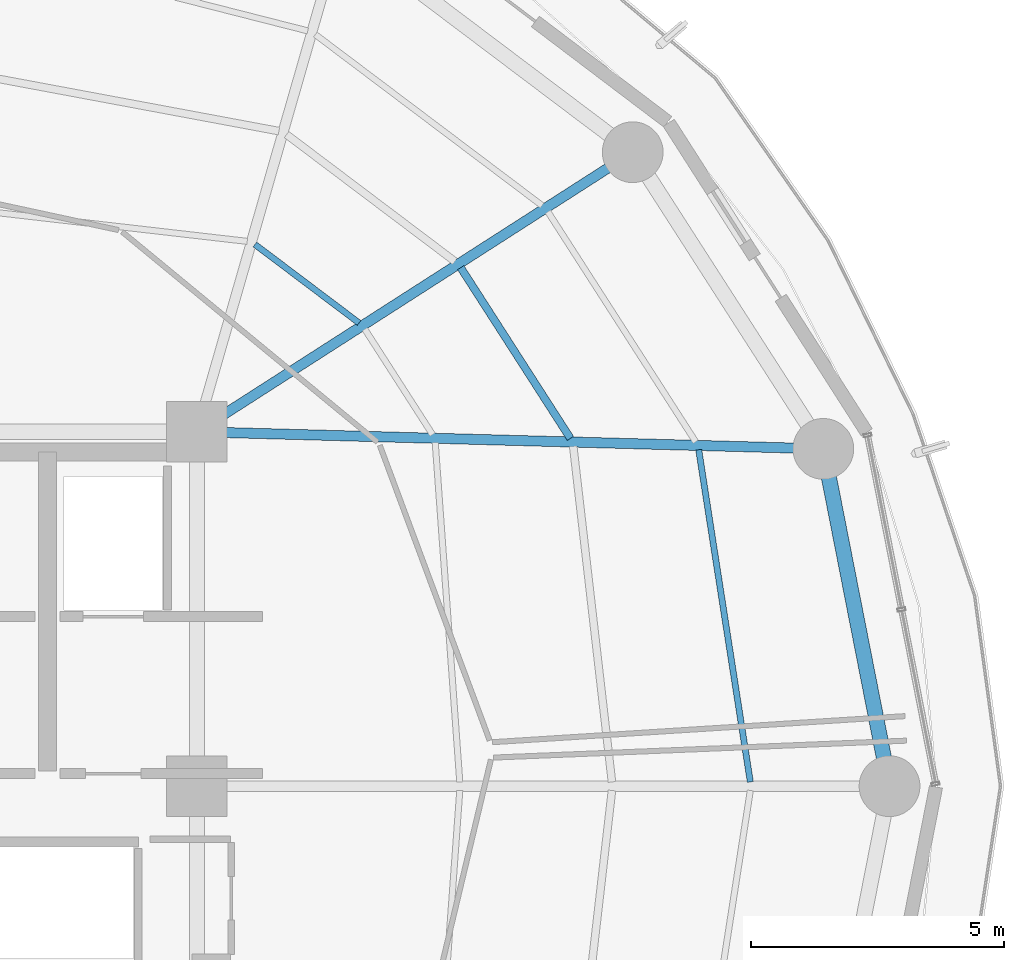
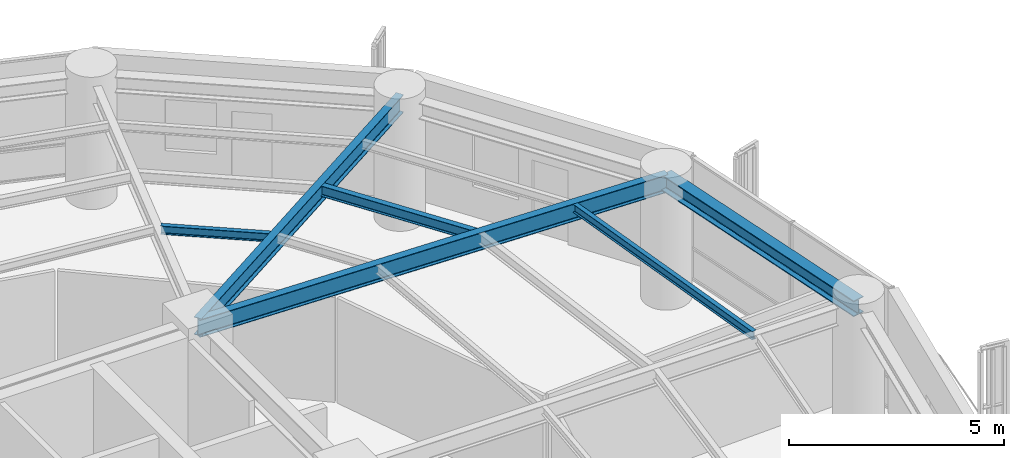
# One storey, part 14 of 27: 6 beams.
"""IFC4 building model written with IfcOpenShell, lengths in metres."""

from ifc_helpers import new_model, si_unit, direction, frame, origin, origin_2d, place, context, subcontext, project, spatial, i_section, extrude, material, material_profile, profile_set, type_object, element, save


model = new_model("IFC4")

# Units and contexts
model_context = context("Model", 3, precision=1e-05, world=origin(), true_north=direction((0.0, 1.0)))
body_context = subcontext(model_context, "Body", "Model", "MODEL_VIEW")
ifc_project = project(units=[si_unit("LENGTHUNIT", "METRE"), si_unit("AREAUNIT", "SQUARE_METRE"), si_unit("VOLUMEUNIT", "CUBIC_METRE"), si_unit("PLANEANGLEUNIT", "RADIAN"), si_unit("MASSUNIT", "GRAM", prefix="KILO")], contexts=[model_context])

# Site, building, storey
site_placement = place(None, origin())
site = spatial("IfcSite", under=ifc_project, at=site_placement, CompositionType="ELEMENT")
building_placement = place(site_placement, origin())
building = spatial("IfcBuilding", under=site, at=building_placement, Name="Kelanora Arch Commons", CompositionType="ELEMENT")
storey_placement = place(building_placement, frame((0.0, 0.0, 165.60009765625)))
storey = spatial("IfcBuildingStorey", under=building, at=storey_placement, Name="L42", CompositionType="ELEMENT", Elevation=165.60009765625)

# Beams
ifc_material = material(Name="Steel S355", Category="steel")
ifc_material_profile_1 = material_profile(ifc_material, i_section(OverallWidth=0.14990234375, OverallDepth=0.300048828125, WebThickness=0.007080078125, FlangeThickness=0.0107421875, FilletRadius=0.014892578125, at=origin_2d()), Name="IPE300")
ifc_profile_set_1 = profile_set([ifc_material_profile_1], Name="Steel S355")
beam_type_1 = type_object("IfcBeamType", Name="BM-JST-01", PredefinedType="JOIST", material=ifc_profile_set_1)
beam_1_placement = place(storey_placement, frame((89.377685546875, 64.869140625, 3.33984375), z_axis=(-0.540594434398, 0.841283339606, 0.0), x_axis=(-0.841283339606, -0.540594434398, 0.0)))
element("IfcBeam", 1, at=beam_1_placement, inside=storey, type_object=beam_type_1, Name="Secondary Chord Joist BJB-02 L42", PredefinedType="JOIST", context=body_context, shape_type="SweptSolid", body=[
    extrude(i_section(OverallWidth=0.14990234375, OverallDepth=0.300048828125, WebThickness=0.007080078125, FlangeThickness=0.0107421875, FilletRadius=0.014892578125, at=origin_2d()), origin(), (0.0, 0.0, 1.0), 4.008544921875),
])
ifc_material_profile_2 = material_profile(ifc_material, i_section(OverallWidth=0.1201171875, OverallDepth=0.239990234375, WebThickness=0.006103515625, FlangeThickness=0.009765625, FilletRadius=0.014892578125, at=origin_2d()), Name="IPE240")
ifc_profile_set_2 = profile_set([ifc_material_profile_2], Name="Steel S355")
beam_type_2 = type_object("IfcBeamType", Name="BM-JST-02", PredefinedType="JOIST", material=ifc_profile_set_2)
beam_2_placement = place(storey_placement, frame((92.930908203125, 58.083984375, 3.369873046875), z_axis=(-0.153562625853, 0.988138917329, 0.0), x_axis=(-0.988138917329, -0.153562625853, 0.0)))
element("IfcBeam", 2, at=beam_2_placement, inside=storey, type_object=beam_type_2, Name="Secondary Chord Joist BJC-00 L42", PredefinedType="JOIST", context=body_context, shape_type="SweptSolid", body=[
    extrude(i_section(OverallWidth=0.1201171875, OverallDepth=0.239990234375, WebThickness=0.006103515625, FlangeThickness=0.009765625, FilletRadius=0.014892578125, at=origin_2d()), origin(), (0.0, 0.0, 1.0), 6.640869140625),
])
beam_3_placement = place(storey_placement, frame((85.203125, 67.1494140625, 3.369873046875), z_axis=(-0.798484118859, 0.602015873487, 0.0), x_axis=(-0.602015873487, -0.798484118859, 0.0)))
element("IfcBeam", 3, at=beam_3_placement, inside=storey, type_object=beam_type_2, Name="Secondary Chord Joist BJA-04 L42", PredefinedType="JOIST", context=body_context, shape_type="SweptSolid", body=[
    extrude(i_section(OverallWidth=0.1201171875, OverallDepth=0.239990234375, WebThickness=0.006103515625, FlangeThickness=0.009765625, FilletRadius=0.014892578125, at=origin_2d()), origin(), (0.0, 0.0, 1.0), 2.57470703125),
])
ifc_material_profile_3 = material_profile(ifc_material, i_section(OverallWidth=0.199951171875, OverallDepth=0.5, WebThickness=0.01025390625, FlangeThickness=0.01611328125, FilletRadius=0.02099609375, at=origin_2d()), Name="IPE500")
ifc_profile_set_3 = profile_set([ifc_material_profile_3], Name="Steel S355")
beam_type_3 = type_object("IfcBeamType", Name="BM-RAD-Z3", PredefinedType="BEAM", material=ifc_profile_set_3)
beam_4_placement = place(storey_placement, frame((82.0, 65.0, 3.239990234375), z_axis=(0.999628374924, -0.027260081577, 0.0), x_axis=(0.027260081577, 0.999628374924, 0.0)))
element("IfcBeam", 4, at=beam_4_placement, inside=storey, type_object=beam_type_3, Name="Radial Floor Girder BR-02 L42", PredefinedType="BEAM", context=body_context, shape_type="SweptSolid", body=[
    extrude(i_section(OverallWidth=0.199951171875, OverallDepth=0.5, WebThickness=0.01025390625, FlangeThickness=0.01611328125, FilletRadius=0.02099609375, at=origin_2d()), origin(), (0.0, 0.0, 1.0), 12.377197265625),
])
beam_5_placement = place(storey_placement, frame((82.0, 65.0, 3.239990234375), z_axis=(0.841719465748, 0.539915123868, 0.0), x_axis=(-0.539915123868, 0.841719465748, 0.0)))
element("IfcBeam", 5, at=beam_5_placement, inside=storey, type_object=beam_type_3, Name="Radial Floor Girder BR-04 L42", PredefinedType="BEAM", context=body_context, shape_type="SweptSolid", body=[
    extrude(i_section(OverallWidth=0.199951171875, OverallDepth=0.5, WebThickness=0.01025390625, FlangeThickness=0.01611328125, FilletRadius=0.02099609375, at=origin_2d()), origin(), (0.0, 0.0, 1.0), 10.2265625),
])
ifc_material_profile_4 = material_profile(ifc_material, i_section(OverallWidth=0.300048828125, OverallDepth=0.449951171875, WebThickness=0.013916015625, FlangeThickness=0.02587890625, FilletRadius=0.027099609375, at=origin_2d()), Name="HEB450")
ifc_profile_set_4 = profile_set([ifc_material_profile_4], Name="Steel S355")
beam_type_4 = type_object("IfcBeamType", Name="BM-SPN-Z3", PredefinedType="SPANDREL", material=ifc_profile_set_4)
beam_6_placement = place(storey_placement, frame((95.679931640625, 58.0, 3.264892578125), z_axis=(-0.192553643556, 0.981286448675, 0.0), x_axis=(-0.981286448675, -0.192553643556, 0.0)))
element("IfcBeam", 6, at=beam_6_placement, inside=storey, type_object=beam_type_4, Name="Perimeter Spandrel Beam BS-00 L42", PredefinedType="SPANDREL", context=body_context, shape_type="SweptSolid", body=[
    extrude(i_section(OverallWidth=0.300048828125, OverallDepth=0.449951171875, WebThickness=0.013916015625, FlangeThickness=0.02587890625, FilletRadius=0.027099609375, at=origin_2d()), origin(), (0.0, 0.0, 1.0), 6.78955078125),
])

save(model, "model.ifc")
